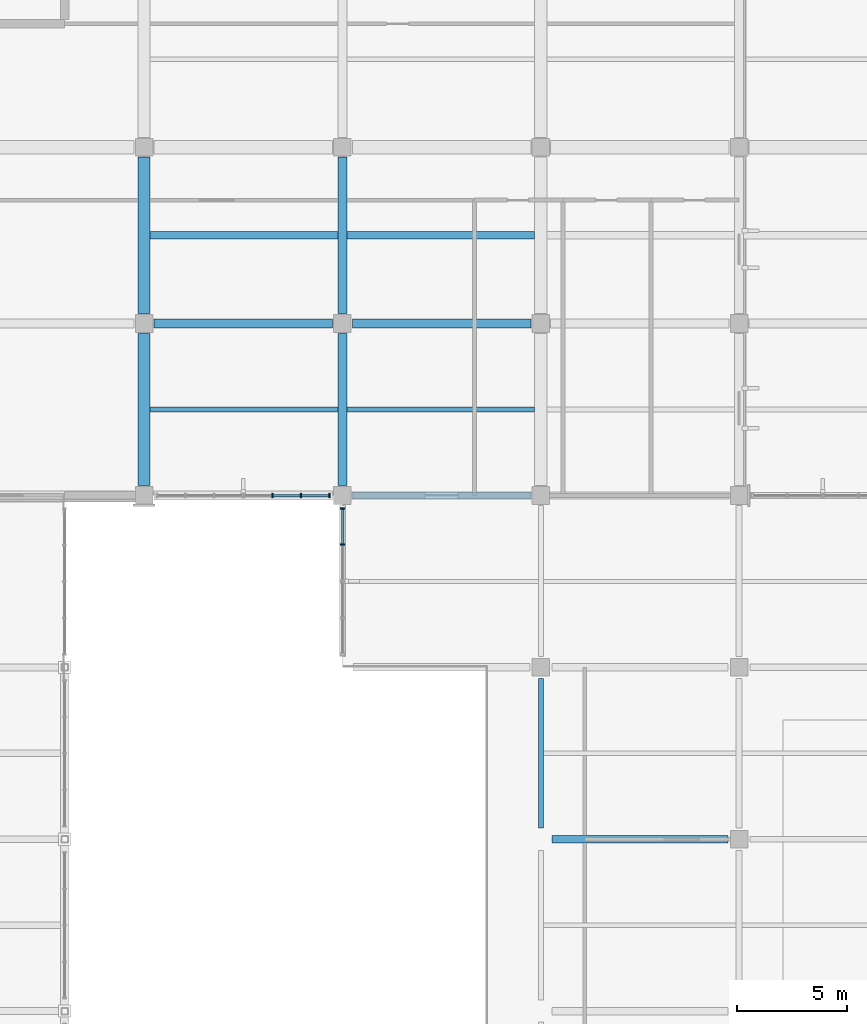
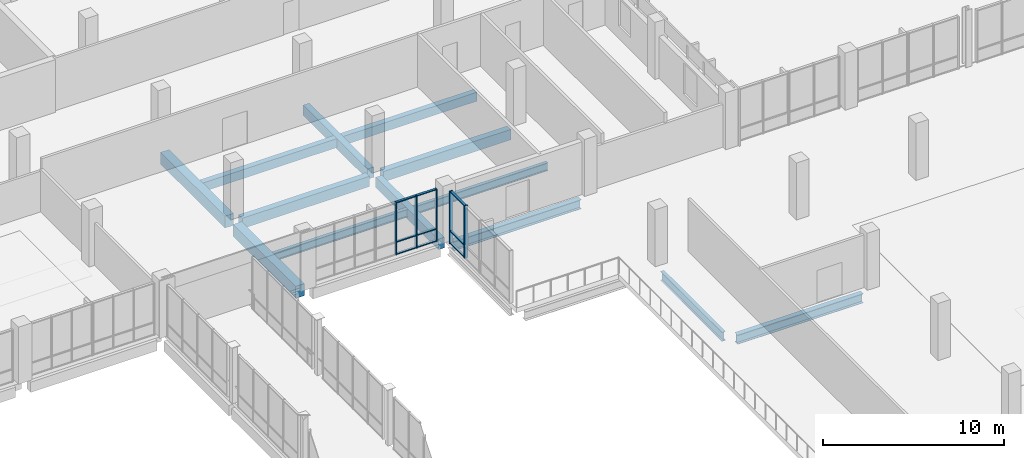
# One storey, part 34 of 85: 14 members, 13 beams, 2 elements without a shape of their own.
"""IFC4 building model written with IfcOpenShell, lengths in metres."""

from ifc_helpers import new_model, si_unit, direction, frame, origin, origin_2d, place, context, subcontext, project, spatial, rectangle, i_section, extrude, material, material_profile, profile_set, type_object, element, aggregate, save


model = new_model("IFC4")

# Units and contexts
model_context = context("Model", 3, precision=1e-05, world=origin(), true_north=direction((0.0, 1.0)))
body_context = subcontext(model_context, "Body", "Model", "MODEL_VIEW")
ifc_project = project(units=[si_unit("LENGTHUNIT", "METRE"), si_unit("AREAUNIT", "SQUARE_METRE"), si_unit("VOLUMEUNIT", "CUBIC_METRE"), si_unit("PLANEANGLEUNIT", "RADIAN"), si_unit("MASSUNIT", "GRAM", prefix="KILO")], contexts=[model_context])

# Site, building, storey
site_placement = place(None, origin())
site = spatial("IfcSite", under=ifc_project, at=site_placement, CompositionType="ELEMENT")
building_placement = place(site_placement, origin())
building = spatial("IfcBuilding", under=site, at=building_placement, Name="Vervanel Yard Central Library", CompositionType="ELEMENT")
storey_placement = place(building_placement, frame((0.0, 0.0, 5.10009765625)))
storey = spatial("IfcBuildingStorey", under=building, at=storey_placement, Name="L01", CompositionType="ELEMENT", Elevation=5.10009765625)

# Beams
ifc_material_1 = material(Name="Concrete C40/50", Category="concrete")
ifc_material_profile_1 = material_profile(ifc_material_1, rectangle(XDim=0.39990234375, YDim=0.699951171875, at=origin_2d()), Name="RC 400x700", Category="concrete")
ifc_profile_set_1 = profile_set([ifc_material_profile_1], Name="Concrete C40/50")
beam_type_1 = type_object("IfcBeamType", Name="Concrete Perimeter Spandrel 400x700", PredefinedType="SPANDREL", material=ifc_profile_set_1)
for number, where, z_axis, x_axis, name in (
    (1, (81.449951171875, 90.0, -0.655029296875), (1.0, 0.0, 0.0), (0.0, 1.0, 0.0), "L01 Girder SP-01 Y=90.0 X=81.0-90.0"),
    (2, (90.449951171875, 90.0, -0.655029296875), (1.0, 0.0, 0.0), (0.0, 1.0, 0.0), "L01 Girder SP-01 Y=90.0 X=90.0-99.0"),
):
    element("IfcBeam", number, at=place(storey_placement, frame(where, z_axis=z_axis, x_axis=x_axis)), inside=storey, type_object=beam_type_1, Name=name, PredefinedType="SPANDREL", context=body_context, shape_type="SweptSolid", body=[
        extrude(rectangle(XDim=0.39990234375, YDim=0.699951171875, at=origin_2d()), origin(), (0.0, 0.0, 1.0), 8.10009765625),
    ])
beam_1_placement = place(storey_placement, frame((90.0, 82.64990234375, -0.655029296875), z_axis=(0.0, 1.0, 0.0), x_axis=(-1.0, 0.0, 0.0)))
element("IfcBeam", 3, at=beam_1_placement, inside=storey, type_object=beam_type_1, Name="L01 Girder SP-01 X=90.0 Y=82.2-90.0", PredefinedType="SPANDREL", context=body_context, shape_type="SweptSolid", body=[
    extrude(rectangle(XDim=0.39990234375, YDim=0.699951171875, at=origin_2d()), origin(), (0.0, 0.0, 1.0), 6.900146484375),
])
beam_2_placement = place(storey_placement, frame((90.0, 90.449951171875, -0.655029296875), z_axis=(0.0, 1.0, 0.0), x_axis=(-1.0, 0.0, 0.0)))
element("IfcBeam", 4, at=beam_2_placement, inside=storey, type_object=beam_type_1, Name="L01 Girder SP-01 X=90.0 Y=90.0-98.0", PredefinedType="SPANDREL", context=body_context, shape_type="SweptSolid", body=[
    extrude(rectangle(XDim=0.39990234375, YDim=0.699951171875, at=origin_2d()), origin(), (0.0, 0.0, 1.0), 7.10009765625),
])
ifc_material_profile_2 = material_profile(ifc_material_1, rectangle(XDim=0.550048828125, YDim=0.800048828125, at=origin_2d()), Name="RC 550x800", Category="concrete")
ifc_profile_set_2 = profile_set([ifc_material_profile_2], Name="Concrete C40/50")
beam_type_2 = type_object("IfcBeamType", Name="Concrete Primary Girder 550x800", PredefinedType="BEAM", material=ifc_profile_set_2)
beam_3_placement = place(storey_placement, frame((81.0, 82.64990234375, -0.705078125), z_axis=(0.0, 1.0, 0.0), x_axis=(-1.0, 0.0, 0.0)))
element("IfcBeam", 5, at=beam_3_placement, inside=storey, type_object=beam_type_2, Name="L01 Girder CB-02 X=81.0 Y=82.2-90.0", PredefinedType="BEAM", context=body_context, shape_type="SweptSolid", body=[
    extrude(rectangle(XDim=0.550048828125, YDim=0.800048828125, at=origin_2d()), origin(), (0.0, 0.0, 1.0), 6.900146484375),
])
beam_4_placement = place(storey_placement, frame((81.0, 90.449951171875, -0.705078125), z_axis=(0.0, 1.0, 0.0), x_axis=(-1.0, 0.0, 0.0)))
element("IfcBeam", 6, at=beam_4_placement, inside=storey, type_object=beam_type_2, Name="L01 Girder CB-02 X=81.0 Y=90.0-98.0", PredefinedType="BEAM", context=body_context, shape_type="SweptSolid", body=[
    extrude(rectangle(XDim=0.550048828125, YDim=0.800048828125, at=origin_2d()), origin(), (0.0, 0.0, 1.0), 7.10009765625),
])
ifc_material_profile_3 = material_profile(ifc_material_1, rectangle(XDim=0.35009765625, YDim=0.60009765625, at=origin_2d()), Name="RC 350x600", Category="concrete")
ifc_profile_set_3 = profile_set([ifc_material_profile_3], Name="Concrete C40/50")
beam_type_3 = type_object("IfcBeamType", Name="Concrete Secondary Joist 350x600", PredefinedType="JOIST", material=ifc_profile_set_3)
for number, where, z_axis, x_axis, name in (
    (7, (81.27490234375, 94.0, -0.60498046875), (1.0, 0.0, 0.0), (0.0, 1.0, 0.0), "L01 Floor Joist CJ-01 Y=94.00 X=81.0-90.0"),
    (8, (90.199951171875, 94.0, -0.60498046875), (1.0, 0.0, 0.0), (0.0, 1.0, 0.0), "L01 Floor Joist CJ-01 Y=94.00 X=90.0-99.0"),
):
    element("IfcBeam", number, at=place(storey_placement, frame(where, z_axis=z_axis, x_axis=x_axis)), inside=storey, type_object=beam_type_3, Name=name, PredefinedType="JOIST", context=body_context, shape_type="SweptSolid", body=[
        extrude(rectangle(XDim=0.35009765625, YDim=0.60009765625, at=origin_2d()), origin(), (0.0, 0.0, 1.0), 8.525146484375),
    ])

# Curtain wall, members
ifc_material_2 = material(Name="Thermally broken anodized aluminium 6063-T6", Category="aluminium")
curtain_wall_type_1 = type_object("IfcCurtainWallType", Name="Atrium Courtyard Curtain Wall", PredefinedType="NOTDEFINED", material=ifc_material_2)
curtain_wall_1_placement = place(storey_placement, origin())
curtain_wall_1 = element("IfcCurtainWall", 9, at=curtain_wall_1_placement, inside=storey, type_object=curtain_wall_type_1, Name="L01 Atrium Courtyard Curtain Wall CWR-L01-006", PredefinedType="NOTDEFINED")
ifc_material_profile_4 = material_profile(ifc_material_2, rectangle(XDim=0.06494140625, YDim=0.18994140625, at=origin_2d()), Name="ALU 65x190", Category="aluminium")
ifc_profile_set_4 = profile_set([ifc_material_profile_4], Name="Thermally broken anodized aluminium 6063-T6")
member_type_1 = type_object("IfcMemberType", Name="Curtain Wall Primary Mullion 65x190", PredefinedType="MULLION", material=ifc_profile_set_4)
member_1_placement = place(storey_placement, frame((86.82421875, 82.199951171875, 0.0), z_axis=(0.0, 0.0, 1.0), x_axis=(1.0, 0.0, 0.0)))
member_1 = element("IfcMember", 10, at=member_1_placement, type_object=member_type_1, Name="CWR-L01-006 Mullion 2", PredefinedType="MULLION", context=body_context, shape_type="SweptSolid", body=[
    extrude(rectangle(XDim=0.06494140625, YDim=0.18994140625, at=origin_2d()), origin(), (0.0, 0.0, 1.0), 3.52978515625),
])
member_2_placement = place(storey_placement, frame((88.11572265625, 82.199951171875, 0.0), z_axis=(0.0, 0.0, 1.0), x_axis=(1.0, 0.0, 0.0)))
member_2 = element("IfcMember", 11, at=member_2_placement, type_object=member_type_1, Name="CWR-L01-006 Mullion 3", PredefinedType="MULLION", context=body_context, shape_type="SweptSolid", body=[
    extrude(rectangle(XDim=0.06494140625, YDim=0.18994140625, at=origin_2d()), origin(), (0.0, 0.0, 1.0), 3.52978515625),
])
member_3_placement = place(storey_placement, frame((89.407470703125, 82.199951171875, 0.0), z_axis=(0.0, 0.0, 1.0), x_axis=(1.0, 0.0, 0.0)))
member_3 = element("IfcMember", 12, at=member_3_placement, type_object=member_type_1, Name="CWR-L01-006 Mullion 4", PredefinedType="MULLION", context=body_context, shape_type="SweptSolid", body=[
    extrude(rectangle(XDim=0.06494140625, YDim=0.18994140625, at=origin_2d()), origin(), (0.0, 0.0, 1.0), 3.52978515625),
])
ifc_material_profile_5 = material_profile(ifc_material_2, rectangle(XDim=0.06494140625, YDim=0.139892578125, at=origin_2d()), Name="ALU 65x140", Category="aluminium")
ifc_profile_set_5 = profile_set([ifc_material_profile_5], Name="Thermally broken anodized aluminium 6063-T6")
member_type_2 = type_object("IfcMemberType", Name="Curtain Wall Transom 65x140", PredefinedType="NOTDEFINED", material=ifc_profile_set_5)
member_4_placement = place(storey_placement, frame((86.856689453125, 82.199951171875, 0.032470703125), z_axis=(1.0, 0.0, 0.0), x_axis=(0.0, 0.0, 1.0)))
member_4 = element("IfcMember", 13, at=member_4_placement, type_object=member_type_2, Name="CWR-L01-006 Transom B2-T1", ObjectType="TRANSOM", PredefinedType="USERDEFINED", context=body_context, shape_type="SweptSolid", body=[
    extrude(rectangle(XDim=0.06494140625, YDim=0.139892578125, at=origin_2d()), origin(), (0.0, 0.0, 1.0), 1.2265625),
])
member_5_placement = place(storey_placement, frame((86.856689453125, 82.199951171875, 0.849853515625), z_axis=(1.0, 0.0, 0.0), x_axis=(0.0, 0.0, 1.0)))
member_5 = element("IfcMember", 14, at=member_5_placement, type_object=member_type_2, Name="CWR-L01-006 Transom B2-T2", ObjectType="TRANSOM", PredefinedType="USERDEFINED", context=body_context, shape_type="SweptSolid", body=[
    extrude(rectangle(XDim=0.06494140625, YDim=0.139892578125, at=origin_2d()), origin(), (0.0, 0.0, 1.0), 1.2265625),
])
member_6_placement = place(storey_placement, frame((86.856689453125, 82.199951171875, 3.497314453125), z_axis=(1.0, 0.0, 0.0), x_axis=(0.0, 0.0, 1.0)))
member_6 = element("IfcMember", 15, at=member_6_placement, type_object=member_type_2, Name="CWR-L01-006 Transom B2-T3", ObjectType="TRANSOM", PredefinedType="USERDEFINED", context=body_context, shape_type="SweptSolid", body=[
    extrude(rectangle(XDim=0.06494140625, YDim=0.139892578125, at=origin_2d()), origin(), (0.0, 0.0, 1.0), 1.2265625),
])
member_7_placement = place(storey_placement, frame((88.1484375, 82.199951171875, 0.032470703125), z_axis=(1.0, 0.0, 0.0), x_axis=(0.0, 0.0, 1.0)))
member_7 = element("IfcMember", 16, at=member_7_placement, type_object=member_type_2, Name="CWR-L01-006 Transom B3-T1", ObjectType="TRANSOM", PredefinedType="USERDEFINED", context=body_context, shape_type="SweptSolid", body=[
    extrude(rectangle(XDim=0.06494140625, YDim=0.139892578125, at=origin_2d()), origin(), (0.0, 0.0, 1.0), 1.2265625),
])
member_8_placement = place(storey_placement, frame((88.1484375, 82.199951171875, 0.849853515625), z_axis=(1.0, 0.0, 0.0), x_axis=(0.0, 0.0, 1.0)))
member_8 = element("IfcMember", 17, at=member_8_placement, type_object=member_type_2, Name="CWR-L01-006 Transom B3-T2", ObjectType="TRANSOM", PredefinedType="USERDEFINED", context=body_context, shape_type="SweptSolid", body=[
    extrude(rectangle(XDim=0.06494140625, YDim=0.139892578125, at=origin_2d()), origin(), (0.0, 0.0, 1.0), 1.2265625),
])
member_9_placement = place(storey_placement, frame((88.1484375, 82.199951171875, 3.497314453125), z_axis=(1.0, 0.0, 0.0), x_axis=(0.0, 0.0, 1.0)))
member_9 = element("IfcMember", 18, at=member_9_placement, type_object=member_type_2, Name="CWR-L01-006 Transom B3-T3", ObjectType="TRANSOM", PredefinedType="USERDEFINED", context=body_context, shape_type="SweptSolid", body=[
    extrude(rectangle(XDim=0.06494140625, YDim=0.139892578125, at=origin_2d()), origin(), (0.0, 0.0, 1.0), 1.2265625),
])
aggregate(curtain_wall_1, [member_1, member_2, member_3, member_4, member_5, member_6, member_7, member_8, member_9])

curtain_wall_type_2 = type_object("IfcCurtainWallType", Name="Reading Hall Full-Height Curtain Wall", PredefinedType="NOTDEFINED", material=ifc_material_2)
curtain_wall_2_placement = place(storey_placement, origin())
curtain_wall_2 = element("IfcCurtainWall", 19, at=curtain_wall_2_placement, inside=storey, type_object=curtain_wall_type_2, Name="L01 Reading Hall Full-Height Curtain Wall CWR-L01-051", PredefinedType="NOTDEFINED")
ifc_material_profile_6 = material_profile(ifc_material_2, rectangle(XDim=0.070068359375, YDim=0.219970703125, at=origin_2d()), Name="ALU 70x220", Category="aluminium")
ifc_profile_set_6 = profile_set([ifc_material_profile_6], Name="Thermally broken anodized aluminium 6063-T6")
member_type_3 = type_object("IfcMemberType", Name="Reading Hall Deep Mullion 70x220", PredefinedType="MULLION", material=ifc_profile_set_6)
member_10_placement = place(storey_placement, frame((90.0, 79.969970703125, 0.0), z_axis=(0.0, 0.0, 1.0), x_axis=(0.0, 1.0, 0.0)))
member_10 = element("IfcMember", 20, at=member_10_placement, type_object=member_type_3, Name="CWR-L01-051 Mullion 2", PredefinedType="MULLION", context=body_context, shape_type="SweptSolid", body=[
    extrude(rectangle(XDim=0.070068359375, YDim=0.219970703125, at=origin_2d()), origin(), (0.0, 0.0, 1.0), 3.52978515625),
])
member_11_placement = place(storey_placement, frame((90.0, 81.60498046875, 0.0), z_axis=(0.0, 0.0, 1.0), x_axis=(0.0, 1.0, 0.0)))
member_11 = element("IfcMember", 21, at=member_11_placement, type_object=member_type_3, Name="CWR-L01-051 Mullion 3", PredefinedType="MULLION", context=body_context, shape_type="SweptSolid", body=[
    extrude(rectangle(XDim=0.070068359375, YDim=0.219970703125, at=origin_2d()), origin(), (0.0, 0.0, 1.0), 3.52978515625),
])
ifc_material_profile_7 = material_profile(ifc_material_2, rectangle(XDim=0.070068359375, YDim=0.14990234375, at=origin_2d()), Name="ALU 70x150", Category="aluminium")
ifc_profile_set_7 = profile_set([ifc_material_profile_7], Name="Thermally broken anodized aluminium 6063-T6")
member_type_4 = type_object("IfcMemberType", Name="Reading Hall Deep Transom 70x150", PredefinedType="NOTDEFINED", material=ifc_profile_set_7)
member_12_placement = place(storey_placement, frame((90.0, 80.0048828125, 0.034912109375), z_axis=(0.0, 1.0, 0.0), x_axis=(0.0, 0.0, 1.0)))
member_12 = element("IfcMember", 22, at=member_12_placement, type_object=member_type_4, Name="CWR-L01-051 Transom B2-T1", ObjectType="TRANSOM", PredefinedType="USERDEFINED", context=body_context, shape_type="SweptSolid", body=[
    extrude(rectangle(XDim=0.070068359375, YDim=0.14990234375, at=origin_2d()), origin(), (0.0, 0.0, 1.0), 1.565185546875),
])
member_13_placement = place(storey_placement, frame((90.0, 80.0048828125, 0.849853515625), z_axis=(0.0, 1.0, 0.0), x_axis=(0.0, 0.0, 1.0)))
member_13 = element("IfcMember", 23, at=member_13_placement, type_object=member_type_4, Name="CWR-L01-051 Transom B2-T2", ObjectType="TRANSOM", PredefinedType="USERDEFINED", context=body_context, shape_type="SweptSolid", body=[
    extrude(rectangle(XDim=0.070068359375, YDim=0.14990234375, at=origin_2d()), origin(), (0.0, 0.0, 1.0), 1.565185546875),
])
member_14_placement = place(storey_placement, frame((90.0, 80.0048828125, 3.494873046875), z_axis=(0.0, 1.0, 0.0), x_axis=(0.0, 0.0, 1.0)))
member_14 = element("IfcMember", 24, at=member_14_placement, type_object=member_type_4, Name="CWR-L01-051 Transom B2-T3", ObjectType="TRANSOM", PredefinedType="USERDEFINED", context=body_context, shape_type="SweptSolid", body=[
    extrude(rectangle(XDim=0.070068359375, YDim=0.14990234375, at=origin_2d()), origin(), (0.0, 0.0, 1.0), 1.565185546875),
])
aggregate(curtain_wall_2, [member_10, member_11, member_12, member_13, member_14])

# Beams
ifc_material_3 = material(Name="Steel ASTM A992 Grade 50", Category="steel")
ifc_material_profile_8 = material_profile(ifc_material_3, i_section(OverallWidth=0.32763671875, OverallDepth=0.622314453125, WebThickness=0.015380859375, FlangeThickness=0.0244140625, at=origin_2d()), Name="W24X131", Category="steel")
ifc_profile_set_8 = profile_set([ifc_material_profile_8], Name="Steel ASTM A992 Grade 50")
beam_type_4 = type_object("IfcBeamType", Name="Steel Primary Girder W24X131", PredefinedType="BEAM", material=ifc_profile_set_8)
beam_5_placement = place(storey_placement, frame((99.5, 66.60009765625, -0.63623046875), z_axis=(1.0, 0.0, 0.0), x_axis=(0.0, 1.0, 0.0)))
element("IfcBeam", 25, at=beam_5_placement, inside=storey, type_object=beam_type_4, Name="L01 Girder SB-02 Y=66.6 X=99.0-108.0", PredefinedType="BEAM", context=body_context, shape_type="SweptSolid", body=[
    extrude(i_section(OverallWidth=0.32763671875, OverallDepth=0.622314453125, WebThickness=0.015380859375, FlangeThickness=0.0244140625, at=origin_2d()), origin(), (0.0, 0.0, 1.0), 8.0),
])
beam_6_placement = place(storey_placement, frame((90.449951171875, 82.199951171875, -0.63623046875), z_axis=(1.0, 0.0, 0.0), x_axis=(0.0, 1.0, 0.0)))
element("IfcBeam", 26, at=beam_6_placement, inside=storey, type_object=beam_type_4, Name="L01 Girder SB-02 Y=82.2 X=90.0-99.0", PredefinedType="BEAM", context=body_context, shape_type="SweptSolid", body=[
    extrude(i_section(OverallWidth=0.32763671875, OverallDepth=0.622314453125, WebThickness=0.015380859375, FlangeThickness=0.0244140625, at=origin_2d()), origin(), (0.0, 0.0, 1.0), 8.10009765625),
])
ifc_material_profile_9 = material_profile(ifc_material_3, i_section(OverallWidth=0.22900390625, OverallDepth=0.612060546875, WebThickness=0.011962890625, FlangeThickness=0.01953125, at=origin_2d()), Name="W24X84", Category="steel")
ifc_profile_set_9 = profile_set([ifc_material_profile_9], Name="Steel ASTM A992 Grade 50")
beam_type_5 = type_object("IfcBeamType", Name="Steel Primary Girder W24X84", PredefinedType="BEAM", material=ifc_profile_set_9)
beam_7_placement = place(storey_placement, frame((99.0, 67.10009765625, -0.631103515625), z_axis=(0.0, 1.0, 0.0), x_axis=(-1.0, 0.0, 0.0)))
element("IfcBeam", 27, at=beam_7_placement, inside=storey, type_object=beam_type_5, Name="L01 Girder SB-01 X=99.0 Y=66.6-74.4", PredefinedType="BEAM", context=body_context, shape_type="SweptSolid", body=[
    extrude(i_section(OverallWidth=0.22900390625, OverallDepth=0.612060546875, WebThickness=0.011962890625, FlangeThickness=0.01953125, at=origin_2d()), origin(), (0.0, 0.0, 1.0), 6.7998046875),
])
ifc_material_profile_10 = material_profile(ifc_material_3, i_section(OverallWidth=0.2099609375, OverallDepth=0.535888671875, WebThickness=0.010986328125, FlangeThickness=0.017333984375, at=origin_2d()), Name="W21X68", Category="steel")
ifc_profile_set_10 = profile_set([ifc_material_profile_10], Name="Steel ASTM A992 Grade 50")
beam_type_6 = type_object("IfcBeamType", Name="Steel Stack Floor Joist W21X68", PredefinedType="JOIST", material=ifc_profile_set_10)
for number, where, z_axis, x_axis, name in (
    (28, (81.27490234375, 86.10009765625, -0.572998046875), (1.0, 0.0, 0.0), (0.0, 1.0, 0.0), "L01 Floor Joist SJ-04 Y=86.10 X=81.0-90.0"),
    (29, (90.199951171875, 86.10009765625, -0.572998046875), (1.0, 0.0, 0.0), (0.0, 1.0, 0.0), "L01 Floor Joist SJ-04 Y=86.10 X=90.0-99.0"),
):
    element("IfcBeam", number, at=place(storey_placement, frame(where, z_axis=z_axis, x_axis=x_axis)), inside=storey, type_object=beam_type_6, Name=name, PredefinedType="JOIST", context=body_context, shape_type="SweptSolid", body=[
        extrude(i_section(OverallWidth=0.2099609375, OverallDepth=0.535888671875, WebThickness=0.010986328125, FlangeThickness=0.017333984375, at=origin_2d()), origin(), (0.0, 0.0, 1.0), 8.525146484375),
    ])

save(model, "model.ifc")
